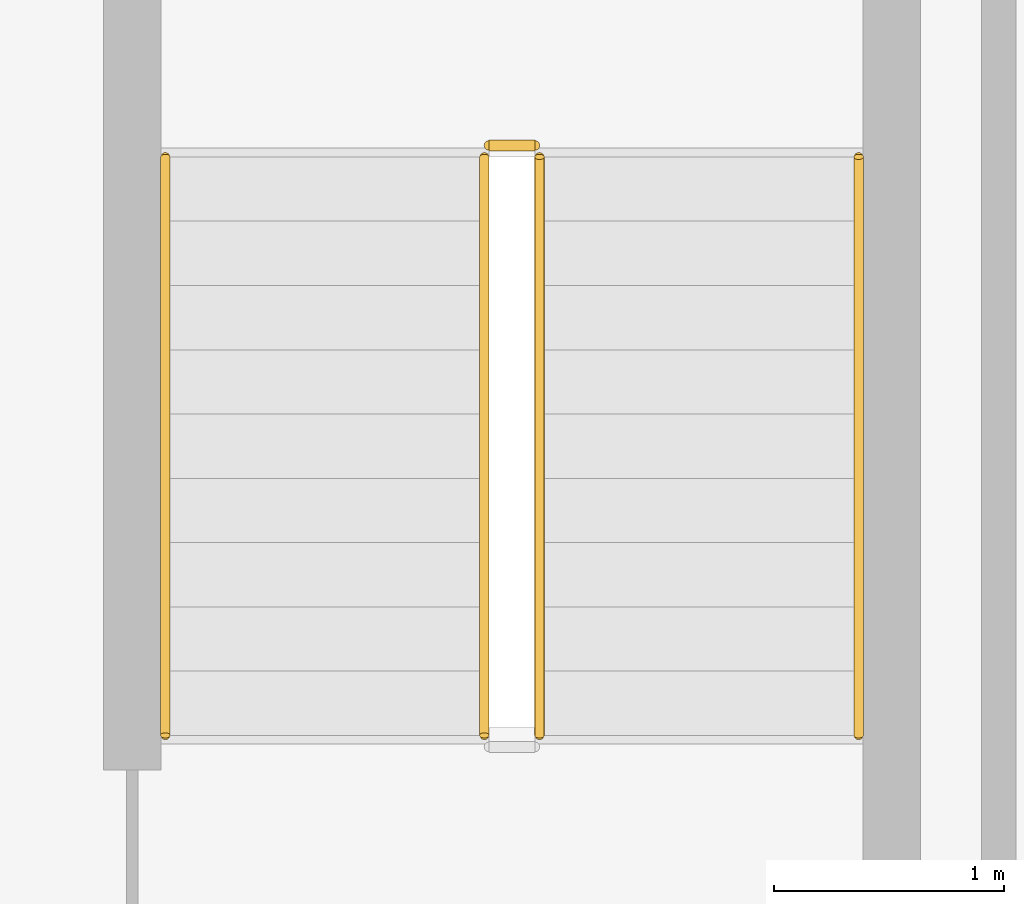
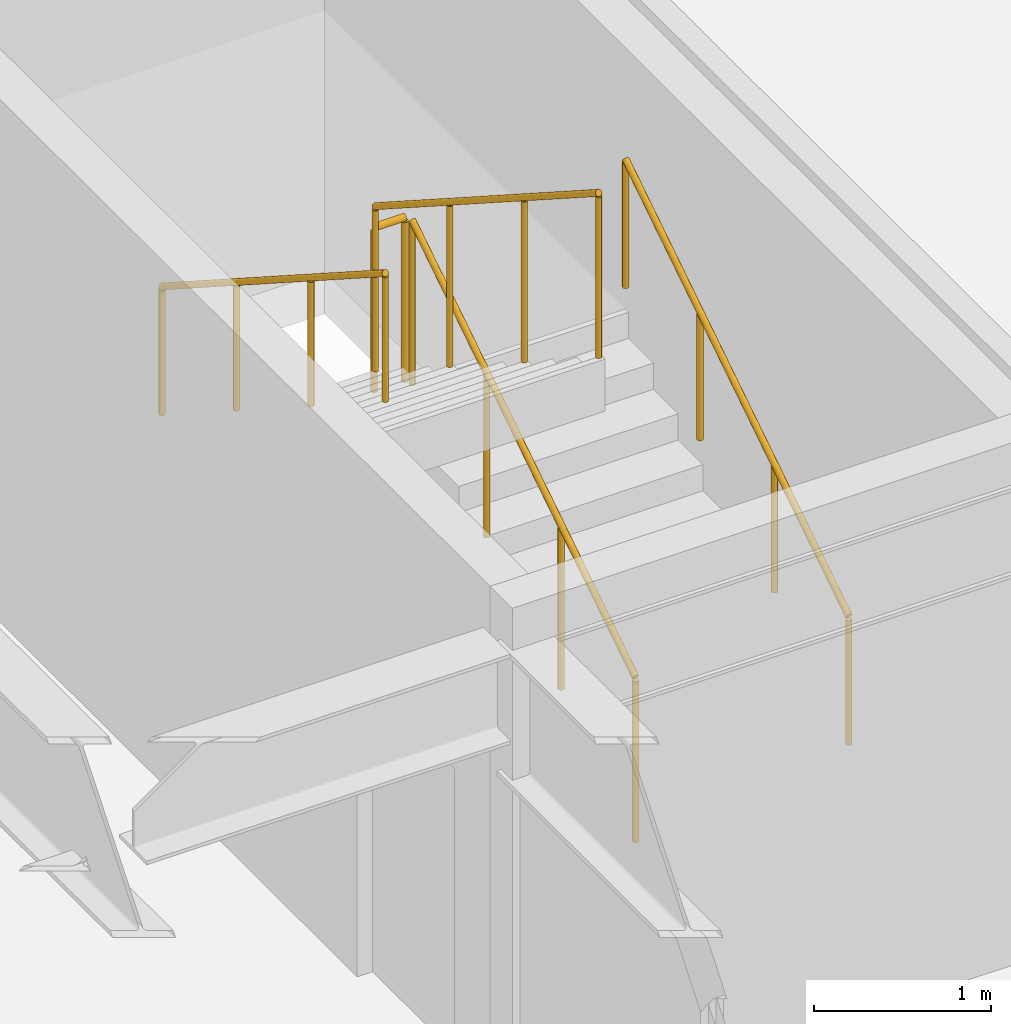
# One storey, part 33 of 36: 5 railings.
"""IFC4 building model written with IfcOpenShell, lengths in metres."""

from ifc_helpers import new_model, si_unit, direction, frame, origin, origin_2d, place, context, subcontext, project, spatial, circle, extrude, material, type_object, element, save


model = new_model("IFC4")

# Units and contexts
model_context = context("Model", 3, precision=1e-05, world=origin(), true_north=direction((0.0, 1.0)))
body_context = subcontext(model_context, "Body", "Model", "MODEL_VIEW")
ifc_project = project(units=[si_unit("LENGTHUNIT", "METRE"), si_unit("AREAUNIT", "SQUARE_METRE"), si_unit("VOLUMEUNIT", "CUBIC_METRE"), si_unit("PLANEANGLEUNIT", "RADIAN"), si_unit("MASSUNIT", "GRAM", prefix="KILO")], contexts=[model_context])

# Site, building, storey
site_placement = place(None, origin())
site = spatial("IfcSite", under=ifc_project, at=site_placement, CompositionType="ELEMENT")
building_placement = place(site_placement, origin())
building = spatial("IfcBuilding", under=site, at=building_placement, Name="Korimba Cascade Residences", CompositionType="ELEMENT")
storey_placement = place(building_placement, frame((0.0, 0.0, 142.89990234375)))
storey = spatial("IfcBuildingStorey", under=building, at=storey_placement, Name="L41", CompositionType="ELEMENT", Elevation=142.89990234375)

# Railings
ifc_material_1 = material(Name="Painted Steel Stairwell Guardrail", Category="steel")
railing_type_1 = type_object("IfcRailingType", Name="RLG-ST-GD1150", PredefinedType="GUARDRAIL", material=ifc_material_1)
railing_1_placement = place(storey_placement, frame((98.14990234375, 39.449951171875, 0.18017578125)))
element("IfcRailing", 1, at=railing_1_placement, inside=storey, type_object=railing_type_1, Name="L41 ST-BR1 stair guard 1", PredefinedType="GUARDRAIL", context=body_context, shape_type="SweptSolid", body=[
    extrude(circle(Radius=0.02099609375, at=origin_2d()), frame((0.0, 0.0, 1.12890625), z_axis=(0.0, 0.841199657755, 0.540724639528), x_axis=(-1.0, 0.0, 0.0)), (0.0, 0.0, 1.0), 2.995849609375),
    extrude(circle(Radius=0.01904296875, at=origin_2d()), origin(), (0.0, 0.0, 1.0), 1.10791015625),
    extrude(circle(Radius=0.01904296875, at=origin_2d()), frame((0.0, 0.840087890625, 0.5400390625)), (0.0, 0.0, 1.0), 1.10791015625),
    extrude(circle(Radius=0.01904296875, at=origin_2d()), frame((0.0, 1.679931640625, 1.079833984375)), (0.0, 0.0, 1.0), 1.10791015625),
    extrude(circle(Radius=0.01904296875, at=origin_2d()), frame((0.0, 2.52001953125, 1.619873046875)), (0.0, 0.0, 1.0), 1.10791015625),
])
railing_2_placement = place(storey_placement, frame((98.1298828125, 42.02001953125, 1.800048828125)))
element("IfcRailing", 2, at=railing_2_placement, inside=storey, type_object=railing_type_1, Name="L41 ST-BR1 stair guard 2", PredefinedType="GUARDRAIL", context=body_context, shape_type="SweptSolid", body=[
    extrude(circle(Radius=0.02392578125, at=origin_2d()), frame((0.0, 0.0, 1.1259765625), z_axis=(-1.0, 0.0, 0.0), x_axis=(0.0, -1.0, 0.0)), (0.0, 0.0, 1.0), 0.199951171875),
    extrude(circle(Radius=0.02099609375, at=origin_2d()), origin(), (0.0, 0.0, 1.0), 1.101806640625),
    extrude(circle(Radius=0.02099609375, at=origin_2d()), frame((-0.199951171875, 0.0, 0.0)), (0.0, 0.0, 1.0), 1.101806640625),
])
railing_3_placement = place(storey_placement, frame((97.909912109375, 41.969970703125, 1.97998046875)))
element("IfcRailing", 3, at=railing_3_placement, inside=storey, type_object=railing_type_1, Name="L41 ST-BR1 stair guard 3", PredefinedType="GUARDRAIL", context=body_context, shape_type="SweptSolid", body=[
    extrude(circle(Radius=0.02099609375, at=origin_2d()), frame((0.0, 0.0, 1.12890625), z_axis=(0.0, -0.841162588446, 0.540782303519), x_axis=(1.0, 0.0, 0.0)), (0.0, 0.0, 1.0), 2.995849609375),
    extrude(circle(Radius=0.01904296875, at=origin_2d()), origin(), (0.0, 0.0, 1.0), 1.10791015625),
    extrude(circle(Radius=0.01904296875, at=origin_2d()), frame((0.0, -0.840087890625, 0.5400390625)), (0.0, 0.0, 1.0), 1.10791015625),
    extrude(circle(Radius=0.01904296875, at=origin_2d()), frame((0.0, -1.679931640625, 1.080078125)), (0.0, 0.0, 1.0), 1.10791015625),
    extrude(circle(Radius=0.01904296875, at=origin_2d()), frame((0.0, -2.52001953125, 1.6201171875)), (0.0, 0.0, 1.0), 1.10791015625),
])
ifc_material_2 = material(Name="Brushed Stainless Steel Handrail", Category="steel")
railing_type_2 = type_object("IfcRailingType", Name="RLG-ST-HR900", PredefinedType="HANDRAIL", material=ifc_material_2)
railing_4_placement = place(storey_placement, frame((99.5400390625, 39.449951171875, 0.364013671875)))
element("IfcRailing", 4, at=railing_4_placement, inside=storey, type_object=railing_type_2, Name="L41 ST-BR1 stair handrail 1", PredefinedType="HANDRAIL", context=body_context, shape_type="SweptSolid", body=[
    extrude(circle(Radius=0.02099609375, at=origin_2d()), frame((0.0, 0.0, 0.87890625), z_axis=(0.0, 0.841199657755, 0.540724639528), x_axis=(-1.0, 0.0, 0.0)), (0.0, 0.0, 1.0), 2.995849609375),
    extrude(circle(Radius=0.01904296875, at=origin_2d()), origin(), (0.0, 0.0, 1.0), 0.85791015625),
    extrude(circle(Radius=0.01904296875, at=origin_2d()), frame((0.0, 0.840087890625, 0.5400390625)), (0.0, 0.0, 1.0), 0.85791015625),
    extrude(circle(Radius=0.01904296875, at=origin_2d()), frame((0.0, 1.679931640625, 1.079833984375)), (0.0, 0.0, 1.0), 0.85791015625),
    extrude(circle(Radius=0.01904296875, at=origin_2d()), frame((0.0, 2.52001953125, 1.619873046875)), (0.0, 0.0, 1.0), 0.85791015625),
])
railing_5_placement = place(storey_placement, frame((96.52001953125, 41.969970703125, 2.163818359375)))
element("IfcRailing", 5, at=railing_5_placement, inside=storey, type_object=railing_type_2, Name="L41 ST-BR1 stair handrail 2", PredefinedType="HANDRAIL", context=body_context, shape_type="SweptSolid", body=[
    extrude(circle(Radius=0.02099609375, at=origin_2d()), frame((0.0, 0.0, 0.87890625), z_axis=(0.0, -0.841162588446, 0.540782303519), x_axis=(1.0, 0.0, 0.0)), (0.0, 0.0, 1.0), 2.995849609375),
    extrude(circle(Radius=0.01904296875, at=origin_2d()), origin(), (0.0, 0.0, 1.0), 0.85791015625),
    extrude(circle(Radius=0.01904296875, at=origin_2d()), frame((0.0, -0.840087890625, 0.5400390625)), (0.0, 0.0, 1.0), 0.85791015625),
    extrude(circle(Radius=0.01904296875, at=origin_2d()), frame((0.0, -1.679931640625, 1.080078125)), (0.0, 0.0, 1.0), 0.85791015625),
    extrude(circle(Radius=0.01904296875, at=origin_2d()), frame((0.0, -2.52001953125, 1.6201171875)), (0.0, 0.0, 1.0), 0.85791015625),
])

save(model, "model.ifc")
